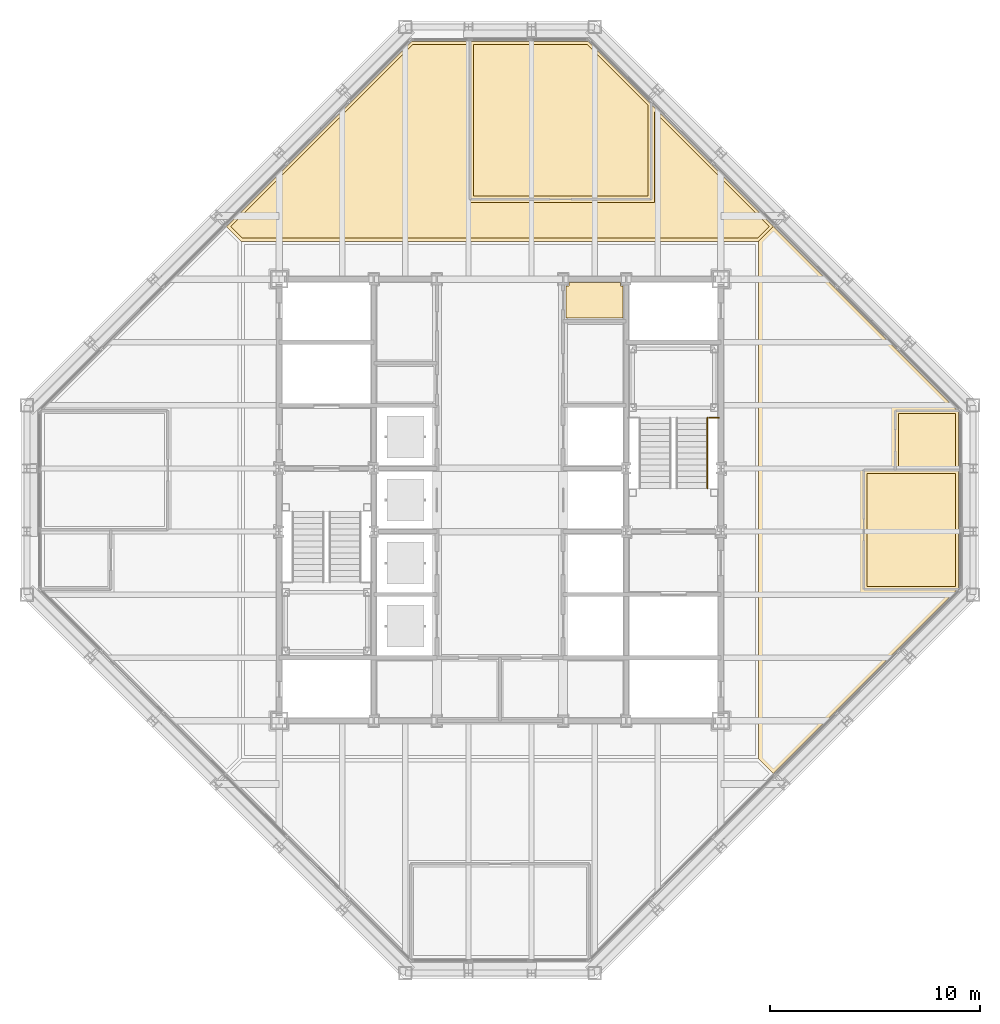
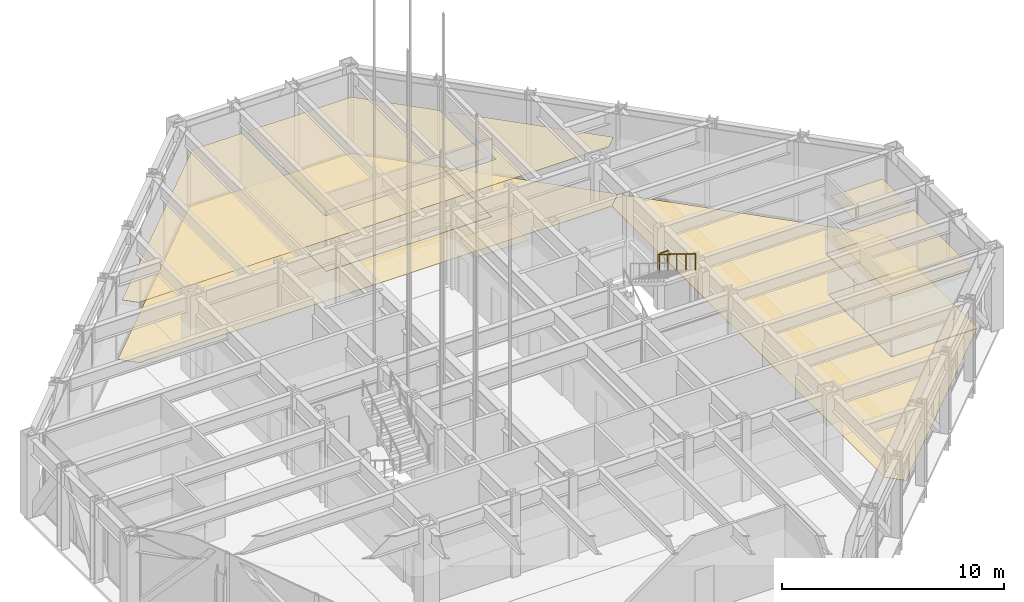
# One storey, part 15 of 24: 10 coverings, 2 railings.
"""IFC4 building model written with IfcOpenShell, lengths in metres."""

from ifc_helpers import new_model, si_unit, direction, frame, origin, origin_2d, place, context, subcontext, project, spatial, polyline, circle, outline, extrude, material, layer, layer_set, type_object, element, save


model = new_model("IFC4")

# Units and contexts
model_context = context("Model", 3, precision=1e-05, world=origin(), true_north=direction((0.0, 1.0)))
body_context = subcontext(model_context, "Body", "Model", "MODEL_VIEW")
ifc_project = project(units=[si_unit("LENGTHUNIT", "METRE"), si_unit("AREAUNIT", "SQUARE_METRE"), si_unit("VOLUMEUNIT", "CUBIC_METRE"), si_unit("PLANEANGLEUNIT", "RADIAN"), si_unit("MASSUNIT", "GRAM", prefix="KILO")], contexts=[model_context])

# Site, building, storey
site_placement = place(None, origin())
site = spatial("IfcSite", under=ifc_project, at=site_placement, CompositionType="ELEMENT")
building_placement = place(site_placement, origin())
building = spatial("IfcBuilding", under=site, at=building_placement, Name="Chuquiago Exchange Tower", CompositionType="ELEMENT")
storey_placement = place(building_placement, frame((0.0, 0.0, 257.699951171875)))
storey = spatial("IfcBuildingStorey", under=building, at=storey_placement, Name="L57", CompositionType="ELEMENT", Elevation=257.699951171875)

# Coverings
ifc_material_1 = material(Name="Mineral fibre tile, 600 x 600, on pale metal grid", Category="mineral fibre")
ifc_layer_1 = layer(ifc_material_1, 0.02001953125)
ifc_layer_set_1 = layer_set([ifc_layer_1], Name="CL1 suspended tile ceiling 20")
covering_type_1 = type_object("IfcCoveringType", Name="CL1 suspended tile ceiling 20", PredefinedType="CEILING", material=ifc_layer_set_1)
covering_1_placement = place(storey_placement, frame((0.0, 0.0, 3.199951171875)))
element("IfcCovering", 1, at=covering_1_placement, inside=storey, type_object=covering_type_1, Name="Ceiling Meeting room", PredefinedType="CEILING", context=body_context, shape_type="SweptSolid", body=[
    extrude(outline(polyline([(39.949951171875, 18.3984375), (39.949951171875, 23.76708984375), (44.14990234375, 23.76708984375), (44.14990234375, 18.3984375), (39.949951171875, 18.3984375)])), origin(), (0.0, 0.0, 1.0), 0.02001953125),
])
covering_2_placement = place(storey_placement, frame((0.0, 0.0, 3.199951171875)))
element("IfcCovering", 2, at=covering_2_placement, inside=storey, type_object=covering_type_1, Name="Ceiling Store", PredefinedType="CEILING", context=body_context, shape_type="SweptSolid", body=[
    extrude(outline(polyline([(44.14990234375, 24.067138671875), (41.449951171875, 24.067138671875), (41.449951171875, 26.6015625), (44.14990234375, 26.6015625), (44.14990234375, 24.067138671875)])), origin(), (0.0, 0.0, 1.0), 0.02001953125),
])
covering_3_placement = place(storey_placement, frame((0.0, 0.0, 3.199951171875)))
element("IfcCovering", 3, at=covering_3_placement, inside=storey, type_object=covering_type_1, Name="Ceiling Listing office", PredefinedType="CEILING", context=body_context, shape_type="SweptSolid", body=[
    extrude(outline(polyline([(29.54296875, 41.255126953125), (29.54296875, 36.949951171875), (21.23291015625, 36.949951171875), (21.23291015625, 44.14990234375), (26.64794921875, 44.14990234375), (29.54296875, 41.255126953125)])), origin(), (0.0, 0.0, 1.0), 0.02001953125),
])
covering_4_placement = place(storey_placement, frame((0.0, 0.0, 3.199951171875)))
element("IfcCovering", 4, at=covering_4_placement, inside=storey, type_object=covering_type_1, Name="Ceiling Listing exhibition room", PredefinedType="CEILING", context=body_context, shape_type="SweptSolid", body=[
    extrude(outline(polyline([(29.843017578125, 36.64990234375), (29.843017578125, 40.955078125), (35.29296875, 35.5048828125), (34.73779296875, 34.949951171875), (10.26220703125, 34.949951171875), (9.70703125, 35.5048828125), (18.35205078125, 44.14990234375), (20.932861328125, 44.14990234375), (20.932861328125, 36.64990234375), (29.843017578125, 36.64990234375)])), origin(), (0.0, 0.0, 1.0), 0.02001953125),
])
ifc_material_2 = material(Name="Moisture resistant plasterboard on metal frame", Category="gypsum")
ifc_layer_2 = layer(ifc_material_2, 0.014892578125)
ifc_layer_set_2 = layer_set([ifc_layer_2], Name="CL2 moisture resistant ceiling 15")
covering_type_2 = type_object("IfcCoveringType", Name="CL2 moisture resistant ceiling 15", PredefinedType="CEILING", material=ifc_layer_set_2)
covering_5_placement = place(storey_placement, frame((0.0, 0.0, 2.60009765625)))
element("IfcCovering", 5, at=covering_5_placement, inside=storey, type_object=covering_type_2, Name="Ceiling Staff shower room", PredefinedType="CEILING", context=body_context, shape_type="SweptSolid", body=[
    extrude(outline(polyline([(25.64990234375, 31.14990234375), (25.64990234375, 32.67578125), (25.77490234375, 32.67578125), (25.77490234375, 32.85009765625), (28.22509765625, 32.85009765625), (28.22509765625, 32.67578125), (28.35009765625, 32.67578125), (28.35009765625, 31.14990234375), (25.64990234375, 31.14990234375)])), origin(), (0.0, 0.0, 1.0), 0.014892578125),
])
ifc_material_3 = material(Name="Porcelain floor tile, 600 x 600, on adhesive bed", Category="ceramic")
ifc_layer_3 = layer(ifc_material_3, 0.014892578125)
ifc_layer_set_3 = layer_set([ifc_layer_3], Name="FL2 porcelain tile 15")
covering_type_3 = type_object("IfcCoveringType", Name="FL2 porcelain tile 15", PredefinedType="FLOORING", material=ifc_layer_set_3)
covering_6_placement = place(storey_placement, origin())
element("IfcCovering", 6, at=covering_6_placement, inside=storey, type_object=covering_type_3, Name="Floor finish Meeting room", PredefinedType="FLOORING", context=body_context, shape_type="SweptSolid", body=[
    extrude(outline(polyline([(44.300048828125, 18.289794921875), (44.258544921875, 18.24853515625), (39.800048828125, 18.24853515625), (39.800048828125, 23.917236328125), (44.300048828125, 23.917236328125), (44.300048828125, 18.289794921875)])), origin(), (0.0, 0.0, 1.0), 0.01513671875),
])
covering_7_placement = place(storey_placement, origin())
element("IfcCovering", 7, at=covering_7_placement, inside=storey, type_object=covering_type_3, Name="Floor finish Store", PredefinedType="FLOORING", context=body_context, shape_type="SweptSolid", body=[
    extrude(outline(polyline([(44.300048828125, 26.710205078125), (44.300048828125, 23.917236328125), (41.300048828125, 23.917236328125), (41.300048828125, 26.75146484375), (44.258544921875, 26.75146484375), (44.300048828125, 26.710205078125)])), origin(), (0.0, 0.0, 1.0), 0.01513671875),
])
covering_8_placement = place(storey_placement, origin())
element("IfcCovering", 8, at=covering_8_placement, inside=storey, type_object=covering_type_3, Name="Floor finish Listing office", PredefinedType="FLOORING", context=body_context, shape_type="SweptSolid", body=[
    extrude(outline(polyline([(26.710205078125, 44.300048828125), (29.69287109375, 41.317138671875), (29.69287109375, 36.800048828125), (21.082763671875, 36.800048828125), (21.082763671875, 44.300048828125), (26.710205078125, 44.300048828125)])), origin(), (0.0, 0.0, 1.0), 0.01513671875),
])
covering_9_placement = place(storey_placement, origin())
element("IfcCovering", 9, at=covering_9_placement, inside=storey, type_object=covering_type_3, Name="Floor finish Listing exhibition room", PredefinedType="FLOORING", context=body_context, shape_type="SweptSolid", body=[
    extrude(outline(polyline([(21.082763671875, 36.800048828125), (29.69287109375, 36.800048828125), (29.69287109375, 41.317138671875), (35.5048828125, 35.5048828125), (34.800048828125, 34.800048828125), (10.199951171875, 34.800048828125), (9.4951171875, 35.5048828125), (18.289794921875, 44.300048828125), (21.082763671875, 44.300048828125), (21.082763671875, 36.800048828125)])), origin(), (0.0, 0.0, 1.0), 0.01513671875),
])
covering_10_placement = place(storey_placement, origin())
element("IfcCovering", 10, at=covering_10_placement, inside=storey, type_object=covering_type_3, Name="Floor finish Cafe", PredefinedType="FLOORING", context=body_context, shape_type="SweptSolid", body=[
    extrude(outline(polyline([(44.258544921875, 26.75146484375), (41.300048828125, 26.75146484375), (41.300048828125, 23.917236328125), (39.800048828125, 23.917236328125), (39.800048828125, 18.24853515625), (44.258544921875, 18.24853515625), (35.5048828125, 9.4951171875), (34.800048828125, 10.199951171875), (34.800048828125, 34.800048828125), (35.5048828125, 35.5048828125), (44.258544921875, 26.75146484375)])), origin(), (0.0, 0.0, 1.0), 0.01513671875),
])

# Railings
ifc_material_4 = material(Name="Pale metal guard with safety glass infill", Category="glass")
railing_type_1 = type_object("IfcRailingType", Name="GR1 guard 1100", PredefinedType="GUARDRAIL", material=ifc_material_4)
railing_1_placement = place(storey_placement, frame((32.445068359375, 26.409912109375, 2.25)))
element("IfcRailing", 11, at=railing_1_placement, inside=storey, type_object=railing_type_1, Name="Guard ST2 L57 landing 2", PredefinedType="GUARDRAIL", context=body_context, shape_type="SweptSolid", body=[
    extrude(circle(Radius=0.02392578125, at=origin_2d()), frame((0.0, 0.0, 1.076171875), z_axis=(1.0, 0.0, 0.0), x_axis=(0.0, 1.0, 0.0)), (0.0, 0.0, 1.0), 0.454833984375),
    extrude(circle(Radius=0.02099609375, at=origin_2d()), origin(), (0.0, 0.0, 1.0), 1.052001953125),
    extrude(circle(Radius=0.02099609375, at=origin_2d()), frame((0.454833984375, 0.0, 0.0)), (0.0, 0.0, 1.0), 1.052001953125),
])
ifc_material_5 = material(Name="Pale metal handrail", Category="steel")
railing_type_2 = type_object("IfcRailingType", Name="HR1 handrail 900", PredefinedType="HANDRAIL", material=ifc_material_5)
railing_2_placement = place(storey_placement, frame((32.364990234375, 26.409912109375, 2.423095703125)))
element("IfcRailing", 12, at=railing_2_placement, inside=storey, type_object=railing_type_2, Name="Handrail ST2 L57 flight 2", PredefinedType="HANDRAIL", context=body_context, shape_type="SweptSolid", body=[
    extrude(circle(Radius=0.02392578125, at=origin_2d()), frame((0.0, 0.0, 0.8759765625), z_axis=(0.0, -0.850606129759, 0.525803396734), x_axis=(1.0, 0.0, 0.0)), (0.0, 0.0, 1.0), 3.949951171875),
    extrude(circle(Radius=0.02099609375, at=origin_2d()), origin(), (0.0, 0.0, 1.0), 0.851806640625),
    extrude(circle(Radius=0.02099609375, at=origin_2d()), frame((0.0, -0.83984375, 0.519287109375)), (0.0, 0.0, 1.0), 0.851806640625),
    extrude(circle(Radius=0.02099609375, at=origin_2d()), frame((0.0, -1.679931640625, 1.03857421875)), (0.0, 0.0, 1.0), 0.851806640625),
    extrude(circle(Radius=0.02099609375, at=origin_2d()), frame((0.0, -2.52001953125, 1.5576171875)), (0.0, 0.0, 1.0), 0.851806640625),
    extrude(circle(Radius=0.02099609375, at=origin_2d()), frame((0.0, -3.35986328125, 2.076904296875)), (0.0, 0.0, 1.0), 0.851806640625),
])

save(model, "model.ifc")
